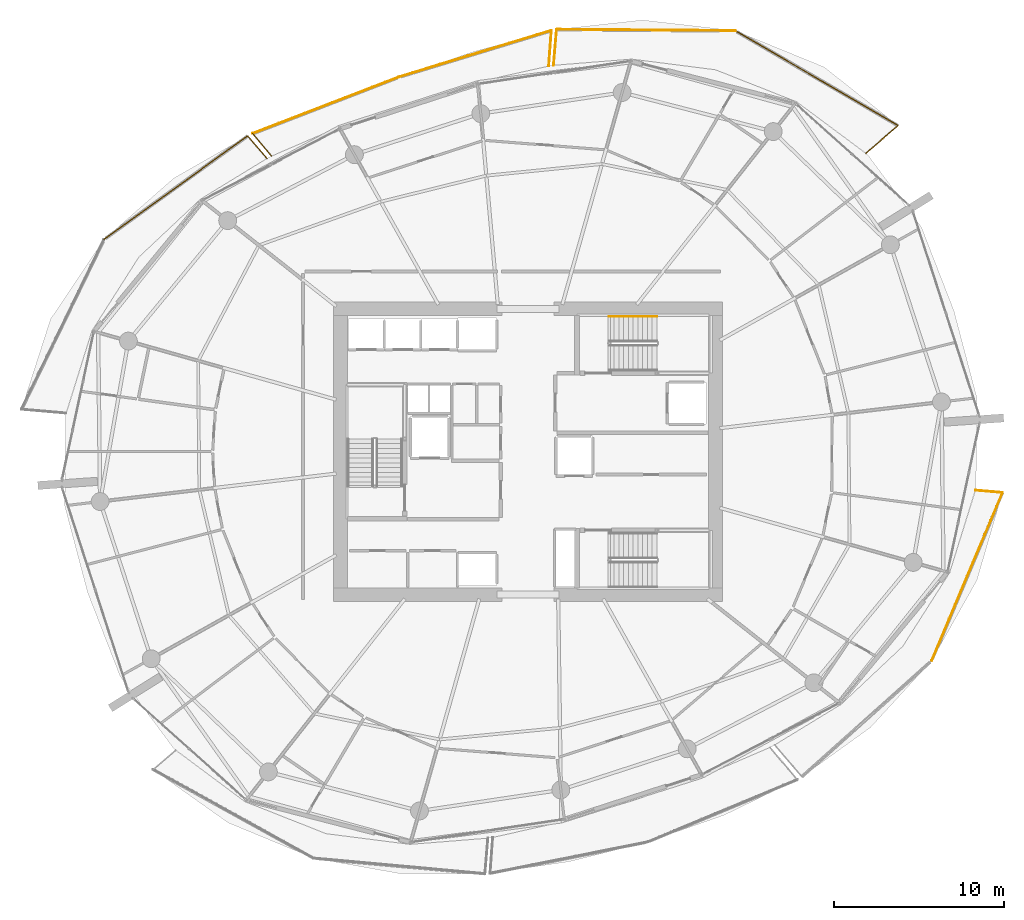
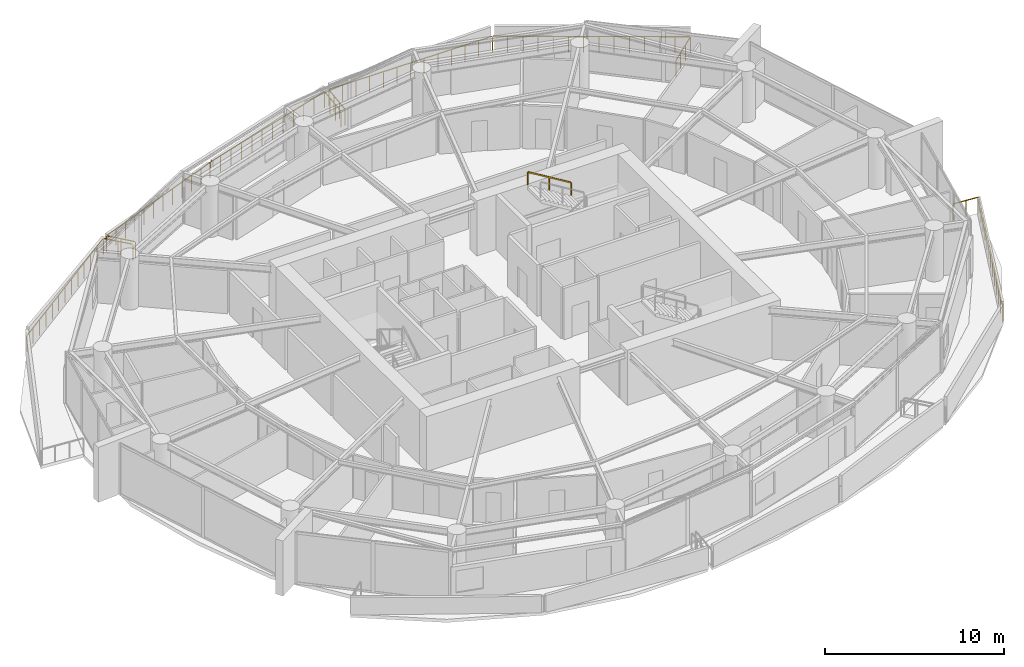
# One storey, part 20 of 20: 13 railings.
"""IFC4 building model written with IfcOpenShell, lengths in metres."""

import ifcopenshell
import ifcopenshell.guid

model = None  # the IFC model being written
_history = None  # IfcOwnerHistory: only IFC2X3 demands one
_inside = {}  # id of a spatial element -> (the spatial element, [elements in it])
_under = {}  # id of a project, library or spatial element -> (it, [spatial elements below it])
_declared = {}  # id of a project -> (the project, [libraries it declares])
_typed = {}  # id of a type object -> (the type object, [elements of that type])
_made_of = {}  # id of a material, layer set ... -> (it, [elements and type objects made of it])


def new_model(schema):
    """Start an empty IFC model of exactly this schema.

    Asked for "IFC4X3", IfcOpenShell would pick the latest addendum, in which some entities
    have other attributes; the version numbers below select the first issue.
    IFC2X3 requires an IfcOwnerHistory on every rooted entity: one is made here for all.
    """
    global model, _history
    if schema == "IFC4X3":
        model = ifcopenshell.file(schema_version=(4, 3, 0, 0))
    else:
        model = ifcopenshell.file(schema=schema)
    _inside.clear()
    _under.clear()
    _declared.clear()
    _typed.clear()
    _made_of.clear()
    _history = None
    if model.schema == "IFC2X3":
        org = make("IfcOrganization", Name="unknown")
        user = make(
            "IfcPersonAndOrganization",
            ThePerson=make("IfcPerson", FamilyName="unknown"),
            TheOrganization=org,
        )
        app = make(
            "IfcApplication",
            ApplicationDeveloper=org,
            Version="unknown",
            ApplicationFullName="unknown",
            ApplicationIdentifier="unknown",
        )
        _history = make(
            "IfcOwnerHistory",
            OwningUser=user,
            OwningApplication=app,
            ChangeAction="ADDED",
            CreationDate=0,
        )
    return model


def make(cls, **values):
    """One entity of the class cls with the attributes given. An attribute that is None is left unset."""
    return model.create_entity(
        cls, **{name: value for name, value in values.items() if value is not None}
    )


def rooted(cls, **values):
    """An entity with a GlobalId (a new one), such as an element, a storey or a relation."""
    return make(cls, GlobalId=ifcopenshell.guid.new(), OwnerHistory=_history, **values)


def si_unit(unit_type, name, prefix=None):
    """IfcSIUnit, for example si_unit("LENGTHUNIT", "METRE", prefix="MILLI")."""
    return make("IfcSIUnit", UnitType=unit_type, Prefix=prefix, Name=name)


def assignment(units):
    """IfcUnitAssignment: the units of a project."""
    return None if units is None else make("IfcUnitAssignment", Units=units)


def point(xyz):
    """IfcCartesianPoint."""
    return None if xyz is None else make("IfcCartesianPoint", Coordinates=xyz)


def direction(xyz):
    """IfcDirection."""
    return None if xyz is None else make("IfcDirection", DirectionRatios=xyz)


def frame(location, z_axis=None, x_axis=None):
    """IfcAxis2Placement3D, a coordinate frame: its origin and axes. An axis left out is left unset."""
    return make(
        "IfcAxis2Placement3D",
        Location=point(location),
        Axis=direction(z_axis),
        RefDirection=direction(x_axis),
    )


def frame_2d(location, x_axis=None):
    """IfcAxis2Placement2D, a coordinate frame in the plane: its origin and x axis."""
    return make(
        "IfcAxis2Placement2D", Location=point(location), RefDirection=direction(x_axis)
    )


def origin():
    """The frame at (0, 0, 0) with its axes left unset."""
    return frame((0.0, 0.0, 0.0))


def origin_2d():
    """The frame at (0, 0) in the plane with its x axis left unset."""
    return frame_2d((0.0, 0.0))


def place(relative_to, where):
    """IfcLocalPlacement: puts the frame where relative to a parent placement (None: the world)."""
    return make(
        "IfcLocalPlacement", PlacementRelTo=relative_to, RelativePlacement=where
    )


def context(
    kind, dimensions, precision=None, world=None, true_north=None, identifier=None
):
    """IfcGeometricRepresentationContext, for example the 3D "Model" context."""
    return make(
        "IfcGeometricRepresentationContext",
        ContextIdentifier=identifier,
        ContextType=kind,
        CoordinateSpaceDimension=dimensions,
        Precision=precision,
        WorldCoordinateSystem=world,
        TrueNorth=true_north,
    )


def subcontext(parent, identifier, kind, view, scale=None):
    """IfcGeometricRepresentationSubContext, for example "Body" below "Model"."""
    return make(
        "IfcGeometricRepresentationSubContext",
        ContextIdentifier=identifier,
        ContextType=kind,
        ParentContext=parent,
        TargetScale=scale,
        TargetView=view,
    )


def project(units=None, contexts=None):
    """IfcProject with its units and contexts."""
    return rooted(
        "IfcProject",
        Name="project",
        RepresentationContexts=contexts,
        UnitsInContext=assignment(units),
    )


def spatial(cls, under=None, at=None, **own):
    """A site, building, storey or space (cls), placed at a placement, below another one or the project."""
    s = rooted(cls, ObjectPlacement=at, **own)
    if under is not None:
        _under.setdefault(under.id(), (under, []))[1].append(s)
    return s


def profile(cls, at=None, kind="AREA", **sizes):
    """A parametric profile (cls). Its sizes go by their IFC names, for example OverallWidth=200.0."""
    return make(cls, ProfileType=kind, Position=at, **sizes)


def rectangle(**sizes):
    """IfcRectangleProfileDef."""
    return profile("IfcRectangleProfileDef", **sizes)


def extrude(swept, where, along, depth):
    """IfcExtrudedAreaSolid: the profile swept, set in the frame where, extruded along a direction by depth."""
    return make(
        "IfcExtrudedAreaSolid",
        SweptArea=swept,
        Position=where,
        ExtrudedDirection=direction(along),
        Depth=depth,
    )


def shape(context_of_items, identifier, shape_type, items):
    """IfcShapeRepresentation: the items that make up one representation, for example the "Body"."""
    return make(
        "IfcShapeRepresentation",
        ContextOfItems=context_of_items,
        RepresentationIdentifier=identifier,
        RepresentationType=shape_type,
        Items=items,
    )


def material(Name=None, Category=None):
    """IfcMaterial."""
    return make("IfcMaterial", Name=Name, Category=Category)


def made_of(thing, what):
    """Note that an element or type object is made of a material, layer set ...; save() writes the relation."""
    if what is not None:
        _made_of.setdefault(what.id(), (what, []))[1].append(thing)
    return thing


def type_object(cls, material=None, **own):
    """A type object (cls), such as IfcWallType, which elements share."""
    return made_of(rooted(cls, **own), material)


def element(
    cls,
    number,
    at=None,
    inside=None,
    cuts=None,
    type_object=None,
    material=None,
    context=None,
    identifier="Body",
    shape_type=None,
    held_by="IfcProductDefinitionShape",
    body=None,
    shapes=None,
    **own,
):
    """One element of the class cls, such as IfcWall. Its Tag is "e" and its number.

    at: its placement. inside: the storey or other place that contains it. cuts: it is an
    opening in that element (IfcRelVoidsElement). A single representation is given by context,
    identifier, shape_type and body (its items); several are given by shapes. held_by: the class
    of the entity that holds the representations. save() writes the other relations.
    """
    e = rooted(cls, Tag="e%d" % number, ObjectPlacement=at, **own)
    if body is not None:
        shapes = [shape(context, identifier, shape_type, body)]
    if shapes is not None:
        e.Representation = make(held_by, Representations=shapes)
    if inside is not None:
        _inside.setdefault(inside.id(), (inside, []))[1].append(e)
    if cuts is not None:
        rooted(
            "IfcRelVoidsElement", RelatingBuildingElement=cuts, RelatedOpeningElement=e
        )
    if type_object is not None:
        _typed.setdefault(type_object.id(), (type_object, []))[1].append(e)
    return made_of(e, material)


def aggregate(whole, parts):
    """IfcRelAggregates: a whole, such as a stair, and the parts it consists of."""
    return rooted("IfcRelAggregates", RelatingObject=whole, RelatedObjects=parts)


def save(model, path):
    """Write the relations noted so far, then the file.

    IfcRelAggregates (storeys below a building ...), IfcRelContainedInSpatialStructure (elements
    in a storey), IfcRelDefinesByType, IfcRelAssociatesMaterial and IfcRelDeclares: one each for
    every whole, place, type object, material and project.
    """
    for whole, parts in _under.values():
        aggregate(whole, parts)
    for where, things in _inside.values():
        rooted(
            "IfcRelContainedInSpatialStructure",
            RelatedElements=things,
            RelatingStructure=where,
        )
    for kind, things in _typed.values():
        rooted("IfcRelDefinesByType", RelatedObjects=things, RelatingType=kind)
    for what, things in _made_of.values():
        rooted("IfcRelAssociatesMaterial", RelatedObjects=things, RelatingMaterial=what)
    for by, libraries in _declared.values():
        rooted("IfcRelDeclares", RelatingContext=by, RelatedDefinitions=libraries)
    model.write(path)


model = new_model("IFC4")

# Units and contexts
model_context = context("Model", 3, precision=1e-05, world=origin(), true_north=direction((0.0, 1.0)))
body_context = subcontext(model_context, "Body", "Model", "MODEL_VIEW")
ifc_project = project(units=[si_unit("LENGTHUNIT", "METRE"), si_unit("AREAUNIT", "SQUARE_METRE"), si_unit("VOLUMEUNIT", "CUBIC_METRE"), si_unit("PLANEANGLEUNIT", "RADIAN"), si_unit("MASSUNIT", "GRAM", prefix="KILO")], contexts=[model_context])

# Site, building, storey
site_placement = place(None, origin())
site = spatial("IfcSite", under=ifc_project, at=site_placement, CompositionType="ELEMENT")
building_placement = place(site_placement, origin())
building = spatial("IfcBuilding", under=site, at=building_placement, Name="Kazma Halo Residences", CompositionType="ELEMENT")
storey_placement = place(building_placement, frame((0.0, 0.0, 135.300048828125)))
storey = spatial("IfcBuildingStorey", under=building, at=storey_placement, Name="L33", CompositionType="ELEMENT", Elevation=135.300048828125)

# Railings
ifc_material_1 = material(Name="Aluminium AW-6063 T6 Brushed Cap Rail", Category="aluminium")
railing_type_1 = type_object("IfcRailingType", Name="RLG-BAL-CAP-1120", PredefinedType="BALUSTRADE", material=ifc_material_1)
railing_1_placement = place(storey_placement, frame((68.294677734375, 59.548583984375, 0.0)))
element("IfcRailing", 1, at=railing_1_placement, inside=storey, type_object=railing_type_1, Name="L33 NE wave balcony guard 1", PredefinedType="BALUSTRADE", context=body_context, shape_type="SweptSolid", body=[
    extrude(rectangle(XDim=0.050048828125, YDim=0.050048828125, at=origin_2d()), frame((0.0322265625, 0.02783203125, 1.09521484375), z_axis=(0.756338286359, 0.65418070637, 0.0), x_axis=(-0.65418070637, 0.756338286359, 0.0)), (0.0, 0.0, 1.0), 2.407470703125),
    extrude(rectangle(XDim=0.0400390625, YDim=0.0400390625, at=origin_2d()), origin(), (0.0, 0.0, 1.0), 1.05810546875),
    extrude(rectangle(XDim=0.0400390625, YDim=0.0400390625, at=origin_2d()), frame((0.62841796875, 0.54345703125, 0.0)), (0.0, 0.0, 1.0), 1.05810546875),
    extrude(rectangle(XDim=0.0400390625, YDim=0.0400390625, at=origin_2d()), frame((1.2568359375, 1.087158203125, 0.0)), (0.0, 0.0, 1.0), 1.05810546875),
    extrude(rectangle(XDim=0.0400390625, YDim=0.0400390625, at=origin_2d()), frame((1.88525390625, 1.630615234375, 0.0)), (0.0, 0.0, 1.0), 1.05810546875),
])
railing_2_placement = place(storey_placement, frame((70.179931640625, 61.17919921875, 0.0)))
element("IfcRailing", 2, at=railing_2_placement, inside=storey, type_object=railing_type_1, Name="L33 NE wave balcony guard 2", PredefinedType="BALUSTRADE", context=body_context, shape_type="SweptSolid", body=[
    extrude(rectangle(XDim=0.050048828125, YDim=0.050048828125, at=origin_2d()), frame((-0.036865234375, 0.021484375, 1.09521484375), z_axis=(-0.863969963727, 0.503543346474, 0.0), x_axis=(-0.503543346474, -0.863969963727, 0.0)), (0.0, 0.0, 1.0), 10.98779296875),
    extrude(rectangle(XDim=0.0400390625, YDim=0.0400390625, at=origin_2d()), origin(), (0.0, 0.0, 1.0), 1.05810546875),
    extrude(rectangle(XDim=0.0400390625, YDim=0.0400390625, at=origin_2d()), frame((-0.73583984375, 0.428955078125, 0.0)), (0.0, 0.0, 1.0), 1.05810546875),
    extrude(rectangle(XDim=0.0400390625, YDim=0.0400390625, at=origin_2d()), frame((-1.4716796875, 0.85791015625, 0.0)), (0.0, 0.0, 1.0), 1.05810546875),
    extrude(rectangle(XDim=0.0400390625, YDim=0.0400390625, at=origin_2d()), frame((-2.207763671875, 1.28662109375, 0.0)), (0.0, 0.0, 1.0), 1.05810546875),
    extrude(rectangle(XDim=0.0400390625, YDim=0.0400390625, at=origin_2d()), frame((-2.943603515625, 1.715576171875, 0.0)), (0.0, 0.0, 1.0), 1.05810546875),
    extrude(rectangle(XDim=0.0400390625, YDim=0.0400390625, at=origin_2d()), frame((-3.679443359375, 2.14453125, 0.0)), (0.0, 0.0, 1.0), 1.05810546875),
    extrude(rectangle(XDim=0.0400390625, YDim=0.0400390625, at=origin_2d()), frame((-4.415283203125, 2.573486328125, 0.0)), (0.0, 0.0, 1.0), 1.05810546875),
    extrude(rectangle(XDim=0.0400390625, YDim=0.0400390625, at=origin_2d()), frame((-5.1513671875, 3.002197265625, 0.0)), (0.0, 0.0, 1.0), 1.05810546875),
    extrude(rectangle(XDim=0.0400390625, YDim=0.0400390625, at=origin_2d()), frame((-5.88720703125, 3.43115234375, 0.0)), (0.0, 0.0, 1.0), 1.05810546875),
    extrude(rectangle(XDim=0.0400390625, YDim=0.0400390625, at=origin_2d()), frame((-6.623046875, 3.860107421875, 0.0)), (0.0, 0.0, 1.0), 1.05810546875),
    extrude(rectangle(XDim=0.0400390625, YDim=0.0400390625, at=origin_2d()), frame((-7.35888671875, 4.2890625, 0.0)), (0.0, 0.0, 1.0), 1.05810546875),
    extrude(rectangle(XDim=0.0400390625, YDim=0.0400390625, at=origin_2d()), frame((-8.094970703125, 4.7177734375, 0.0)), (0.0, 0.0, 1.0), 1.05810546875),
    extrude(rectangle(XDim=0.0400390625, YDim=0.0400390625, at=origin_2d()), frame((-8.830810546875, 5.146728515625, 0.0)), (0.0, 0.0, 1.0), 1.05810546875),
    extrude(rectangle(XDim=0.0400390625, YDim=0.0400390625, at=origin_2d()), frame((-9.566650390625, 5.57568359375, 0.0)), (0.0, 0.0, 1.0), 1.05810546875),
])
railing_3_placement = place(storey_placement, frame((60.61328125, 66.7548828125, 0.0)))
element("IfcRailing", 3, at=railing_3_placement, inside=storey, type_object=railing_type_1, Name="L33 NE wave balcony guard 3", PredefinedType="BALUSTRADE", context=body_context, shape_type="SweptSolid", body=[
    extrude(rectangle(XDim=0.050048828125, YDim=0.050048828125, at=origin_2d()), frame((-0.04248046875, 0.000244140625, 1.09521484375), z_axis=(-0.999973550466, 0.007273126395, 0.0), x_axis=(-0.007273126395, -0.999973550466, 0.0)), (0.0, 0.0, 1.0), 10.421630859375),
    extrude(rectangle(XDim=0.0400390625, YDim=0.0400390625, at=origin_2d()), origin(), (0.0, 0.0, 1.0), 1.05810546875),
    extrude(rectangle(XDim=0.0400390625, YDim=0.0400390625, at=origin_2d()), frame((-0.87548828125, 0.00634765625, 0.0)), (0.0, 0.0, 1.0), 1.05810546875),
    extrude(rectangle(XDim=0.0400390625, YDim=0.0400390625, at=origin_2d()), frame((-1.7509765625, 0.0126953125, 0.0)), (0.0, 0.0, 1.0), 1.05810546875),
    extrude(rectangle(XDim=0.0400390625, YDim=0.0400390625, at=origin_2d()), frame((-2.62646484375, 0.01904296875, 0.0)), (0.0, 0.0, 1.0), 1.05810546875),
    extrude(rectangle(XDim=0.0400390625, YDim=0.0400390625, at=origin_2d()), frame((-3.502197265625, 0.025390625, 0.0)), (0.0, 0.0, 1.0), 1.05810546875),
    extrude(rectangle(XDim=0.0400390625, YDim=0.0400390625, at=origin_2d()), frame((-4.377685546875, 0.03173828125, 0.0)), (0.0, 0.0, 1.0), 1.05810546875),
    extrude(rectangle(XDim=0.0400390625, YDim=0.0400390625, at=origin_2d()), frame((-5.253173828125, 0.0380859375, 0.0)), (0.0, 0.0, 1.0), 1.05810546875),
    extrude(rectangle(XDim=0.0400390625, YDim=0.0400390625, at=origin_2d()), frame((-6.128662109375, 0.044677734375, 0.0)), (0.0, 0.0, 1.0), 1.05810546875),
    extrude(rectangle(XDim=0.0400390625, YDim=0.0400390625, at=origin_2d()), frame((-7.004150390625, 0.051025390625, 0.0)), (0.0, 0.0, 1.0), 1.05810546875),
    extrude(rectangle(XDim=0.0400390625, YDim=0.0400390625, at=origin_2d()), frame((-7.8798828125, 0.057373046875, 0.0)), (0.0, 0.0, 1.0), 1.05810546875),
    extrude(rectangle(XDim=0.0400390625, YDim=0.0400390625, at=origin_2d()), frame((-8.75537109375, 0.063720703125, 0.0)), (0.0, 0.0, 1.0), 1.05810546875),
    extrude(rectangle(XDim=0.0400390625, YDim=0.0400390625, at=origin_2d()), frame((-9.630859375, 0.070068359375, 0.0)), (0.0, 0.0, 1.0), 1.05810546875),
    extrude(rectangle(XDim=0.0400390625, YDim=0.0400390625, at=origin_2d()), frame((-10.50634765625, 0.076416015625, 0.0)), (0.0, 0.0, 1.0), 1.05810546875),
])
railing_4_placement = place(storey_placement, frame((50.10693359375, 66.831298828125, 0.0)))
element("IfcRailing", 4, at=railing_4_placement, inside=storey, type_object=railing_type_1, Name="L33 NE wave balcony guard 4", PredefinedType="BALUSTRADE", context=body_context, shape_type="SweptSolid", body=[
    extrude(rectangle(XDim=0.050048828125, YDim=0.050048828125, at=origin_2d()), frame((-0.003662109375, -0.04248046875, 1.09521484375), z_axis=(-0.084476046616, -0.996425510286, 0.0), x_axis=(0.996425510286, -0.084476046616, 0.0)), (0.0, 0.0, 1.0), 2.033447265625),
    extrude(rectangle(XDim=0.0400390625, YDim=0.0400390625, at=origin_2d()), origin(), (0.0, 0.0, 1.0), 1.05810546875),
    extrude(rectangle(XDim=0.0400390625, YDim=0.0400390625, at=origin_2d()), frame((-0.0595703125, -0.70361328125, 0.0)), (0.0, 0.0, 1.0), 1.05810546875),
    extrude(rectangle(XDim=0.0400390625, YDim=0.0400390625, at=origin_2d()), frame((-0.119384765625, -1.4072265625, 0.0)), (0.0, 0.0, 1.0), 1.05810546875),
    extrude(rectangle(XDim=0.0400390625, YDim=0.0400390625, at=origin_2d()), frame((-0.178955078125, -2.11083984375, 0.0)), (0.0, 0.0, 1.0), 1.05810546875),
])
railing_5_placement = place(storey_placement, frame((49.6455078125, 64.67822265625, 0.0)))
element("IfcRailing", 5, at=railing_5_placement, inside=storey, type_object=railing_type_1, Name="L33 NNW wave balcony guard 1", PredefinedType="BALUSTRADE", context=body_context, shape_type="SweptSolid", body=[
    extrude(rectangle(XDim=0.050048828125, YDim=0.050048828125, at=origin_2d()), frame((0.003173828125, 0.04248046875, 1.09521484375), z_axis=(0.072373392649, 0.997377607547, 0.0), x_axis=(-0.997377607547, 0.072373392649, 0.0)), (0.0, 0.0, 1.0), 2.009765625),
    extrude(rectangle(XDim=0.0400390625, YDim=0.0400390625, at=origin_2d()), origin(), (0.0, 0.0, 1.0), 1.05810546875),
    extrude(rectangle(XDim=0.0400390625, YDim=0.0400390625, at=origin_2d()), frame((0.050537109375, 0.696533203125, 0.0)), (0.0, 0.0, 1.0), 1.05810546875),
    extrude(rectangle(XDim=0.0400390625, YDim=0.0400390625, at=origin_2d()), frame((0.10107421875, 1.392822265625, 0.0)), (0.0, 0.0, 1.0), 1.05810546875),
    extrude(rectangle(XDim=0.0400390625, YDim=0.0400390625, at=origin_2d()), frame((0.151611328125, 2.08935546875, 0.0)), (0.0, 0.0, 1.0), 1.05810546875),
])
railing_6_placement = place(storey_placement, frame((49.797119140625, 66.767578125, 0.0)))
element("IfcRailing", 6, at=railing_6_placement, inside=storey, type_object=railing_type_1, Name="L33 NNW wave balcony guard 2", PredefinedType="BALUSTRADE", context=body_context, shape_type="SweptSolid", body=[
    extrude(rectangle(XDim=0.050048828125, YDim=0.050048828125, at=origin_2d()), frame((-0.040771484375, -0.012451171875, 1.09521484375), z_axis=(-0.956417122002, -0.29200391905, 0.0), x_axis=(0.29200391905, -0.956417122002, 0.0)), (0.0, 0.0, 1.0), 9.279052734375),
    extrude(rectangle(XDim=0.0400390625, YDim=0.0400390625, at=origin_2d()), origin(), (0.0, 0.0, 1.0), 1.05810546875),
    extrude(rectangle(XDim=0.0400390625, YDim=0.0400390625, at=origin_2d()), frame((-0.814208984375, -0.24853515625, 0.0)), (0.0, 0.0, 1.0), 1.05810546875),
    extrude(rectangle(XDim=0.0400390625, YDim=0.0400390625, at=origin_2d()), frame((-1.62841796875, -0.4970703125, 0.0)), (0.0, 0.0, 1.0), 1.05810546875),
    extrude(rectangle(XDim=0.0400390625, YDim=0.0400390625, at=origin_2d()), frame((-2.442626953125, -0.745849609375, 0.0)), (0.0, 0.0, 1.0), 1.05810546875),
    extrude(rectangle(XDim=0.0400390625, YDim=0.0400390625, at=origin_2d()), frame((-3.2568359375, -0.994384765625, 0.0)), (0.0, 0.0, 1.0), 1.05810546875),
    extrude(rectangle(XDim=0.0400390625, YDim=0.0400390625, at=origin_2d()), frame((-4.071044921875, -1.242919921875, 0.0)), (0.0, 0.0, 1.0), 1.05810546875),
    extrude(rectangle(XDim=0.0400390625, YDim=0.0400390625, at=origin_2d()), frame((-4.885009765625, -1.491455078125, 0.0)), (0.0, 0.0, 1.0), 1.05810546875),
    extrude(rectangle(XDim=0.0400390625, YDim=0.0400390625, at=origin_2d()), frame((-5.69921875, -1.739990234375, 0.0)), (0.0, 0.0, 1.0), 1.05810546875),
    extrude(rectangle(XDim=0.0400390625, YDim=0.0400390625, at=origin_2d()), frame((-6.513427734375, -1.988525390625, 0.0)), (0.0, 0.0, 1.0), 1.05810546875),
    extrude(rectangle(XDim=0.0400390625, YDim=0.0400390625, at=origin_2d()), frame((-7.32763671875, -2.2373046875, 0.0)), (0.0, 0.0, 1.0), 1.05810546875),
    extrude(rectangle(XDim=0.0400390625, YDim=0.0400390625, at=origin_2d()), frame((-8.141845703125, -2.48583984375, 0.0)), (0.0, 0.0, 1.0), 1.05810546875),
    extrude(rectangle(XDim=0.0400390625, YDim=0.0400390625, at=origin_2d()), frame((-8.9560546875, -2.734375, 0.0)), (0.0, 0.0, 1.0), 1.05810546875),
])
railing_7_placement = place(storey_placement, frame((40.841064453125, 64.033203125, 0.0)))
element("IfcRailing", 7, at=railing_7_placement, inside=storey, type_object=railing_type_1, Name="L33 NNW wave balcony guard 3", PredefinedType="BALUSTRADE", context=body_context, shape_type="SweptSolid", body=[
    extrude(rectangle(XDim=0.050048828125, YDim=0.050048828125, at=origin_2d()), frame((-0.039794921875, -0.015380859375, 1.09521484375), z_axis=(-0.932752497644, -0.36051737564, 0.0), x_axis=(0.36051737564, -0.932752497644, 0.0)), (0.0, 0.0, 1.0), 9.15380859375),
    extrude(rectangle(XDim=0.0400390625, YDim=0.0400390625, at=origin_2d()), origin(), (0.0, 0.0, 1.0), 1.05810546875),
    extrude(rectangle(XDim=0.0400390625, YDim=0.0400390625, at=origin_2d()), frame((-0.783447265625, -0.302734375, 0.0)), (0.0, 0.0, 1.0), 1.05810546875),
    extrude(rectangle(XDim=0.0400390625, YDim=0.0400390625, at=origin_2d()), frame((-1.56689453125, -0.605712890625, 0.0)), (0.0, 0.0, 1.0), 1.05810546875),
    extrude(rectangle(XDim=0.0400390625, YDim=0.0400390625, at=origin_2d()), frame((-2.350341796875, -0.908447265625, 0.0)), (0.0, 0.0, 1.0), 1.05810546875),
    extrude(rectangle(XDim=0.0400390625, YDim=0.0400390625, at=origin_2d()), frame((-3.1337890625, -1.211181640625, 0.0)), (0.0, 0.0, 1.0), 1.05810546875),
    extrude(rectangle(XDim=0.0400390625, YDim=0.0400390625, at=origin_2d()), frame((-3.917236328125, -1.513916015625, 0.0)), (0.0, 0.0, 1.0), 1.05810546875),
    extrude(rectangle(XDim=0.0400390625, YDim=0.0400390625, at=origin_2d()), frame((-4.700439453125, -1.81689453125, 0.0)), (0.0, 0.0, 1.0), 1.05810546875),
    extrude(rectangle(XDim=0.0400390625, YDim=0.0400390625, at=origin_2d()), frame((-5.48388671875, -2.11962890625, 0.0)), (0.0, 0.0, 1.0), 1.05810546875),
    extrude(rectangle(XDim=0.0400390625, YDim=0.0400390625, at=origin_2d()), frame((-6.267333984375, -2.42236328125, 0.0)), (0.0, 0.0, 1.0), 1.05810546875),
    extrude(rectangle(XDim=0.0400390625, YDim=0.0400390625, at=origin_2d()), frame((-7.05078125, -2.72509765625, 0.0)), (0.0, 0.0, 1.0), 1.05810546875),
    extrude(rectangle(XDim=0.0400390625, YDim=0.0400390625, at=origin_2d()), frame((-7.834228515625, -3.028076171875, 0.0)), (0.0, 0.0, 1.0), 1.05810546875),
    extrude(rectangle(XDim=0.0400390625, YDim=0.0400390625, at=origin_2d()), frame((-8.61767578125, -3.330810546875, 0.0)), (0.0, 0.0, 1.0), 1.05810546875),
])
railing_8_placement = place(storey_placement, frame((32.223388671875, 60.702392578125, 0.0)))
element("IfcRailing", 8, at=railing_8_placement, inside=storey, type_object=railing_type_1, Name="L33 NNW wave balcony guard 4", PredefinedType="BALUSTRADE", context=body_context, shape_type="SweptSolid", body=[
    extrude(rectangle(XDim=0.050048828125, YDim=0.050048828125, at=origin_2d()), frame((0.02734375, -0.032470703125, 1.09521484375), z_axis=(0.644739558111, -0.764402316981, 0.0), x_axis=(0.764402316981, 0.644739558111, 0.0)), (0.0, 0.0, 1.0), 1.64501953125),
    extrude(rectangle(XDim=0.0400390625, YDim=0.0400390625, at=origin_2d()), origin(), (0.0, 0.0, 1.0), 1.05810546875),
    extrude(rectangle(XDim=0.0400390625, YDim=0.0400390625, at=origin_2d()), frame((0.5576171875, -0.6611328125, 0.0)), (0.0, 0.0, 1.0), 1.05810546875),
    extrude(rectangle(XDim=0.0400390625, YDim=0.0400390625, at=origin_2d()), frame((1.115478515625, -1.322509765625, 0.0)), (0.0, 0.0, 1.0), 1.05810546875),
])
railing_9_placement = place(storey_placement, frame((33.08544921875, 59.248046875, 0.0)))
element("IfcRailing", 9, at=railing_9_placement, inside=storey, type_object=railing_type_1, Name="L33 NW wave balcony guard 1", PredefinedType="BALUSTRADE", context=body_context, shape_type="SweptSolid", body=[
    extrude(rectangle(XDim=0.050048828125, YDim=0.050048828125, at=origin_2d()), frame((-0.02783203125, 0.0322265625, 1.09521484375), z_axis=(-0.653983459738, 0.756508846207, 0.0), x_axis=(-0.756508846207, -0.653983459738, 0.0)), (0.0, 0.0, 1.0), 1.662841796875),
    extrude(rectangle(XDim=0.0400390625, YDim=0.0400390625, at=origin_2d()), origin(), (0.0, 0.0, 1.0), 1.05810546875),
    extrude(rectangle(XDim=0.0400390625, YDim=0.0400390625, at=origin_2d()), frame((-0.571533203125, 0.6611328125, 0.0)), (0.0, 0.0, 1.0), 1.05810546875),
    extrude(rectangle(XDim=0.0400390625, YDim=0.0400390625, at=origin_2d()), frame((-1.14306640625, 1.322265625, 0.0)), (0.0, 0.0, 1.0), 1.05810546875),
])
railing_10_placement = place(storey_placement, frame((31.9423828125, 60.5703125, 0.0)))
element("IfcRailing", 10, at=railing_10_placement, inside=storey, type_object=railing_type_1, Name="L33 NW wave balcony guard 2", PredefinedType="BALUSTRADE", context=body_context, shape_type="SweptSolid", body=[
    extrude(rectangle(XDim=0.050048828125, YDim=0.050048828125, at=origin_2d()), frame((-0.034423828125, -0.02490234375, 1.09521484375), z_axis=(-0.811368830373, -0.58453453371, 0.0), x_axis=(0.58453453371, -0.811368830373, 0.0)), (0.0, 0.0, 1.0), 10.324951171875),
    extrude(rectangle(XDim=0.0400390625, YDim=0.0400390625, at=origin_2d()), origin(), (0.0, 0.0, 1.0), 1.05810546875),
    extrude(rectangle(XDim=0.0400390625, YDim=0.0400390625, at=origin_2d()), frame((-0.703857421875, -0.507080078125, 0.0)), (0.0, 0.0, 1.0), 1.05810546875),
    extrude(rectangle(XDim=0.0400390625, YDim=0.0400390625, at=origin_2d()), frame((-1.40771484375, -1.01416015625, 0.0)), (0.0, 0.0, 1.0), 1.05810546875),
    extrude(rectangle(XDim=0.0400390625, YDim=0.0400390625, at=origin_2d()), frame((-2.111572265625, -1.521240234375, 0.0)), (0.0, 0.0, 1.0), 1.05810546875),
    extrude(rectangle(XDim=0.0400390625, YDim=0.0400390625, at=origin_2d()), frame((-2.8154296875, -2.0283203125, 0.0)), (0.0, 0.0, 1.0), 1.05810546875),
    extrude(rectangle(XDim=0.0400390625, YDim=0.0400390625, at=origin_2d()), frame((-3.519287109375, -2.535400390625, 0.0)), (0.0, 0.0, 1.0), 1.05810546875),
    extrude(rectangle(XDim=0.0400390625, YDim=0.0400390625, at=origin_2d()), frame((-4.22314453125, -3.04248046875, 0.0)), (0.0, 0.0, 1.0), 1.05810546875),
    extrude(rectangle(XDim=0.0400390625, YDim=0.0400390625, at=origin_2d()), frame((-4.927001953125, -3.549560546875, 0.0)), (0.0, 0.0, 1.0), 1.05810546875),
    extrude(rectangle(XDim=0.0400390625, YDim=0.0400390625, at=origin_2d()), frame((-5.630859375, -4.056640625, 0.0)), (0.0, 0.0, 1.0), 1.05810546875),
    extrude(rectangle(XDim=0.0400390625, YDim=0.0400390625, at=origin_2d()), frame((-6.334716796875, -4.563720703125, 0.0)), (0.0, 0.0, 1.0), 1.05810546875),
    extrude(rectangle(XDim=0.0400390625, YDim=0.0400390625, at=origin_2d()), frame((-7.03857421875, -5.07080078125, 0.0)), (0.0, 0.0, 1.0), 1.05810546875),
    extrude(rectangle(XDim=0.0400390625, YDim=0.0400390625, at=origin_2d()), frame((-7.742431640625, -5.577880859375, 0.0)), (0.0, 0.0, 1.0), 1.05810546875),
    extrude(rectangle(XDim=0.0400390625, YDim=0.0400390625, at=origin_2d()), frame((-8.4462890625, -6.0849609375, 0.0)), (0.0, 0.0, 1.0), 1.05810546875),
])
railing_11_placement = place(storey_placement, frame((72.1494140625, 29.6953125, 0.0)))
element("IfcRailing", 11, at=railing_11_placement, inside=storey, type_object=railing_type_1, Name="L33 SE wave balcony guard 3", PredefinedType="BALUSTRADE", context=body_context, shape_type="SweptSolid", body=[
    extrude(rectangle(XDim=0.050048828125, YDim=0.050048828125, at=origin_2d()), frame((0.0166015625, 0.039306640625, 1.09521484375), z_axis=(0.388678506604, 0.921373441393, 0.0), x_axis=(-0.921373441393, 0.388678506604, 0.0)), (0.0, 0.0, 1.0), 10.660888671875),
    extrude(rectangle(XDim=0.0400390625, YDim=0.0400390625, at=origin_2d()), origin(), (0.0, 0.0, 1.0), 1.05810546875),
    extrude(rectangle(XDim=0.0400390625, YDim=0.0400390625, at=origin_2d()), frame((0.34814453125, 0.8251953125, 0.0)), (0.0, 0.0, 1.0), 1.05810546875),
    extrude(rectangle(XDim=0.0400390625, YDim=0.0400390625, at=origin_2d()), frame((0.696044921875, 1.650146484375, 0.0)), (0.0, 0.0, 1.0), 1.05810546875),
    extrude(rectangle(XDim=0.0400390625, YDim=0.0400390625, at=origin_2d()), frame((1.044189453125, 2.475341796875, 0.0)), (0.0, 0.0, 1.0), 1.05810546875),
    extrude(rectangle(XDim=0.0400390625, YDim=0.0400390625, at=origin_2d()), frame((1.392333984375, 3.30029296875, 0.0)), (0.0, 0.0, 1.0), 1.05810546875),
    extrude(rectangle(XDim=0.0400390625, YDim=0.0400390625, at=origin_2d()), frame((1.740234375, 4.12548828125, 0.0)), (0.0, 0.0, 1.0), 1.05810546875),
    extrude(rectangle(XDim=0.0400390625, YDim=0.0400390625, at=origin_2d()), frame((2.08837890625, 4.95068359375, 0.0)), (0.0, 0.0, 1.0), 1.05810546875),
    extrude(rectangle(XDim=0.0400390625, YDim=0.0400390625, at=origin_2d()), frame((2.4365234375, 5.775634765625, 0.0)), (0.0, 0.0, 1.0), 1.05810546875),
    extrude(rectangle(XDim=0.0400390625, YDim=0.0400390625, at=origin_2d()), frame((2.784423828125, 6.600830078125, 0.0)), (0.0, 0.0, 1.0), 1.05810546875),
    extrude(rectangle(XDim=0.0400390625, YDim=0.0400390625, at=origin_2d()), frame((3.132568359375, 7.42578125, 0.0)), (0.0, 0.0, 1.0), 1.05810546875),
    extrude(rectangle(XDim=0.0400390625, YDim=0.0400390625, at=origin_2d()), frame((3.480712890625, 8.2509765625, 0.0)), (0.0, 0.0, 1.0), 1.05810546875),
    extrude(rectangle(XDim=0.0400390625, YDim=0.0400390625, at=origin_2d()), frame((3.82861328125, 9.075927734375, 0.0)), (0.0, 0.0, 1.0), 1.05810546875),
    extrude(rectangle(XDim=0.0400390625, YDim=0.0400390625, at=origin_2d()), frame((4.1767578125, 9.901123046875, 0.0)), (0.0, 0.0, 1.0), 1.05810546875),
])
railing_12_placement = place(storey_placement, frame((76.326171875, 39.596435546875, 0.0)))
element("IfcRailing", 12, at=railing_12_placement, inside=storey, type_object=railing_type_1, Name="L33 SE wave balcony guard 4", PredefinedType="BALUSTRADE", context=body_context, shape_type="SweptSolid", body=[
    extrude(rectangle(XDim=0.050048828125, YDim=0.050048828125, at=origin_2d()), frame((-0.04248046875, 0.003662109375, 1.09521484375), z_axis=(-0.996413914796, 0.084612708277, 0.0), x_axis=(-0.084612708277, -0.996413914796, 0.0)), (0.0, 0.0, 1.0), 1.513427734375),
    extrude(rectangle(XDim=0.0400390625, YDim=0.0400390625, at=origin_2d()), origin(), (0.0, 0.0, 1.0), 1.05810546875),
    extrude(rectangle(XDim=0.0400390625, YDim=0.0400390625, at=origin_2d()), frame((-0.79638671875, 0.067626953125, 0.0)), (0.0, 0.0, 1.0), 1.05810546875),
    extrude(rectangle(XDim=0.0400390625, YDim=0.0400390625, at=origin_2d()), frame((-1.5927734375, 0.13525390625, 0.0)), (0.0, 0.0, 1.0), 1.05810546875),
])
ifc_material_2 = material(Name="Brushed Stainless Steel", Category="steel")
railing_type_2 = type_object("IfcRailingType", Name="RLG-STAIR-HND-900", PredefinedType="HANDRAIL", material=ifc_material_2)
railing_13_placement = place(storey_placement, frame((56.0, 49.949951171875, 2.04541015625)))
element("IfcRailing", 13, at=railing_13_placement, inside=storey, type_object=railing_type_2, Name="L33 ST-02 stair handrail 2", PredefinedType="HANDRAIL", context=body_context, shape_type="SweptSolid", body=[
    extrude(rectangle(XDim=0.050048828125, YDim=0.050048828125, at=origin_2d()), frame((-0.036376953125, 0.0, 0.89697265625), z_axis=(-0.854169791009, 0.0, 0.51999420009), x_axis=(0.0, -1.0, 0.0)), (0.0, 0.0, 1.0), 3.193115234375),
    extrude(rectangle(XDim=0.0400390625, YDim=0.0400390625, at=origin_2d()), origin(), (0.0, 0.0, 1.0), 0.837890625),
    extrude(rectangle(XDim=0.0400390625, YDim=0.0400390625, at=origin_2d()), frame((-1.39990234375, 0.0, 0.852294921875)), (0.0, 0.0, 1.0), 0.837890625),
    extrude(rectangle(XDim=0.0400390625, YDim=0.0400390625, at=origin_2d()), frame((-2.800048828125, 0.0, 1.70458984375)), (0.0, 0.0, 1.0), 0.837890625),
])

save(model, "model.ifc")
